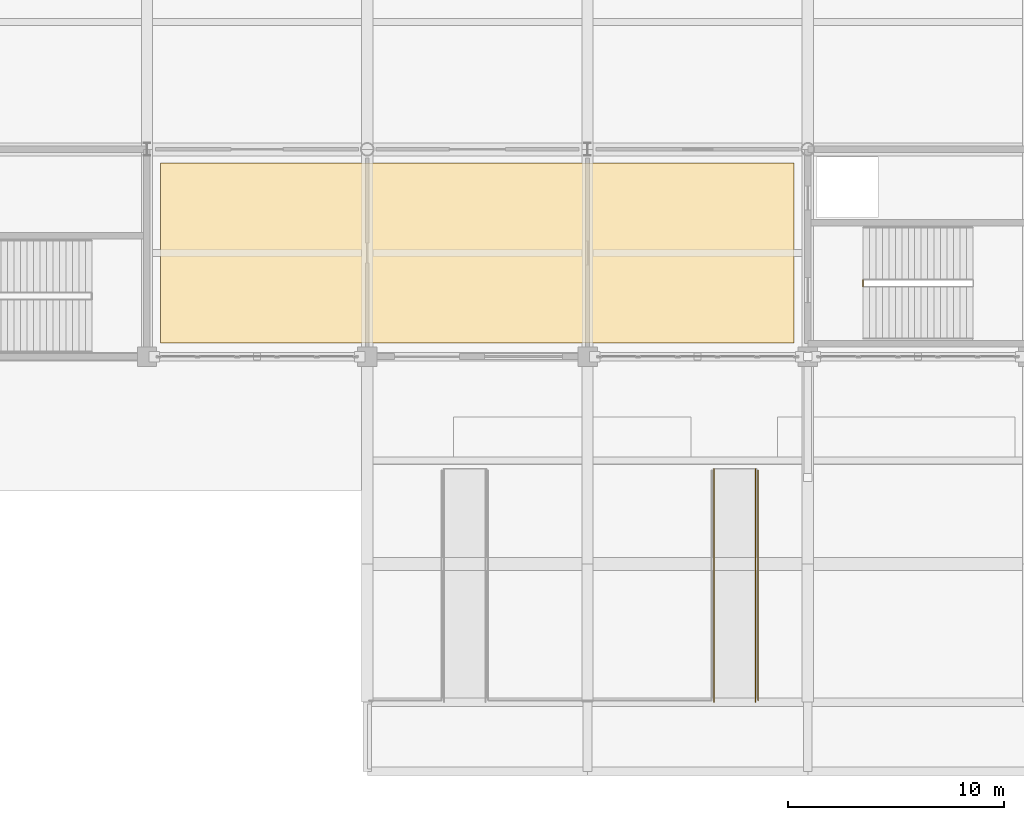
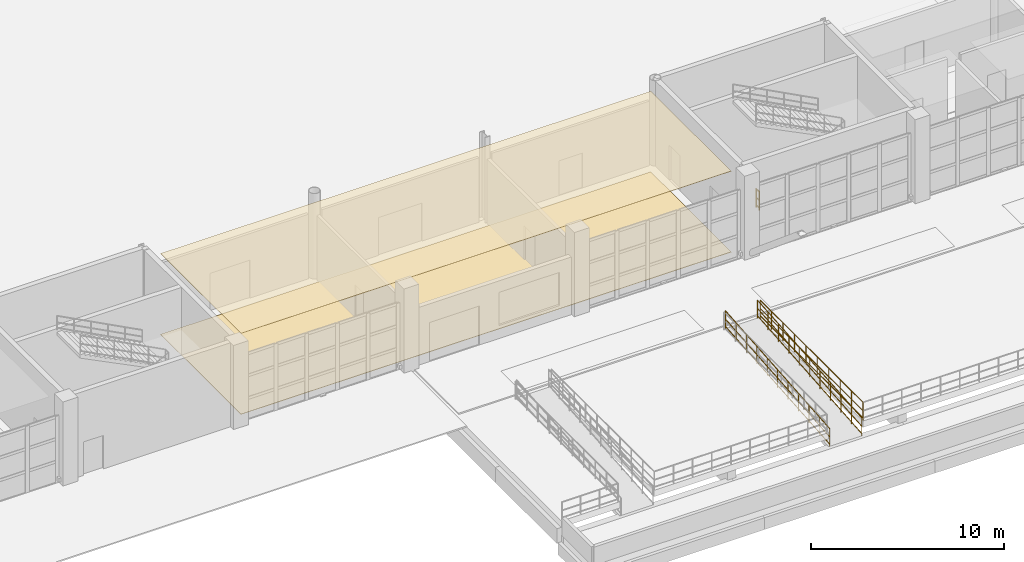
# One storey, part 110 of 124: 4 railings, 2 coverings.
"""IFC4 building model written with IfcOpenShell, lengths in metres."""

from ifc_helpers import new_model, si_unit, direction, frame, origin, origin_2d, place, context, subcontext, project, spatial, polyline, circle, outline, extrude, material, layer, layer_set, type_object, element, save


model = new_model("IFC4")

# Units and contexts
model_context = context("Model", 3, precision=1e-05, world=origin(), true_north=direction((0.0, 1.0)))
body_context = subcontext(model_context, "Body", "Model", "MODEL_VIEW")
ifc_project = project(units=[si_unit("LENGTHUNIT", "METRE"), si_unit("AREAUNIT", "SQUARE_METRE"), si_unit("VOLUMEUNIT", "CUBIC_METRE"), si_unit("PLANEANGLEUNIT", "RADIAN"), si_unit("MASSUNIT", "GRAM", prefix="KILO")], contexts=[model_context])

# Site, building, storey
site_placement = place(None, origin())
site = spatial("IfcSite", under=ifc_project, at=site_placement, CompositionType="ELEMENT")
building_placement = place(site_placement, origin())
building = spatial("IfcBuilding", under=site, at=building_placement, Name="Brelvane Convention Centre", CompositionType="ELEMENT")
storey_placement = place(building_placement, origin())
storey = spatial("IfcBuildingStorey", under=building, at=storey_placement, Name="L00", CompositionType="ELEMENT", Elevation=0.0)

# Coverings
ifc_material_1 = material(Name="Moisture-Resistant Acoustic Gypsum Ceiling Tile Grade A")
ifc_layer_1 = layer(ifc_material_1, 0.02490234375)
ifc_layer_set_1 = layer_set([ifc_layer_1], Name="Moisture-Resistant Acoustic Gypsum Ceiling Tile Grade A")
covering_type_1 = type_object("IfcCoveringType", Name="Interior Finish CL-GYP-25", PredefinedType="CEILING", material=ifc_layer_set_1)
covering_1_placement = place(storey_placement, frame((0.0, 0.0, 5.114990234375)))
element("IfcCovering", 1, at=covering_1_placement, inside=storey, type_object=covering_type_1, Name="Pre-function Foyer East Acoustic Ceiling (CL-GYP-25)", PredefinedType="CEILING", context=body_context, shape_type="SweptSolid", body=[
    extrude(outline(polyline([(92.429931640625, 19.830078125), (121.77001953125, 19.830078125), (121.77001953125, 28.169921875), (92.429931640625, 28.169921875), (92.429931640625, 19.830078125)])), origin(), (0.0, 0.0, 1.0), 0.02490234375),
])
ifc_material_2 = material(Name="Solution-Dyed Heavy Contract Wool Carpet Class 1")
ifc_layer_2 = layer(ifc_material_2, 0.028076171875)
ifc_layer_set_2 = layer_set([ifc_layer_2], Name="Solution-Dyed Heavy Contract Wool Carpet Class 1")
covering_type_2 = type_object("IfcCoveringType", Name="Interior Finish FL-CPT-28", PredefinedType="FLOORING", material=ifc_layer_set_2)
covering_2_placement = place(storey_placement, origin())
element("IfcCovering", 2, at=covering_2_placement, inside=storey, type_object=covering_type_2, Name="Pre-function Foyer East Floor Finish (FL-CPT-28)", PredefinedType="FLOORING", context=body_context, shape_type="SweptSolid", body=[
    extrude(outline(polyline([(92.429931640625, 19.830078125), (121.77001953125, 19.830078125), (121.77001953125, 28.169921875), (92.429931640625, 28.169921875), (92.429931640625, 19.830078125)])), origin(), (0.0, 0.0, 1.0), 0.028076171875),
])

# Railings
ifc_material_3 = material(Name="Steel E350 (350 MPa)", Category="steel")
railing_type_1 = type_object("IfcRailingType", Name="Railing GR-EXT-1", PredefinedType="GUARDRAIL", material=ifc_material_3)
railing_1_placement = place(storey_placement, frame((120.10009765625, 13.93994140625, 0.0)))
element("IfcRailing", 3, at=railing_1_placement, inside=storey, type_object=railing_type_1, Name="Railing GR-EXT-1 L00-plaza_ramp_e_2", PredefinedType="GUARDRAIL", context=body_context, shape_type="SweptSolid", body=[
    extrude(circle(Radius=0.02392578125, at=origin_2d()), frame((0.0, 0.0, 1.1259765625), z_axis=(0.0, -1.0, 0.0), x_axis=(1.0, 0.0, 0.0)), (0.0, 0.0, 1.0), 10.659912109375),
    extrude(circle(Radius=0.02392578125, at=origin_2d()), frame((0.0, 0.0, 0.597900390625), z_axis=(0.0, -1.0, 0.0), x_axis=(1.0, 0.0, 0.0)), (0.0, 0.0, 1.0), 10.659912109375),
    extrude(circle(Radius=0.02392578125, at=origin_2d()), frame((0.0, 0.0, 0.139892578125), z_axis=(0.0, -1.0, 0.0), x_axis=(1.0, 0.0, 0.0)), (0.0, 0.0, 1.0), 10.659912109375),
    extrude(circle(Radius=0.02099609375, at=origin_2d()), origin(), (0.0, 0.0, 1.0), 1.101806640625),
    extrude(circle(Radius=0.02099609375, at=origin_2d()), frame((0.0, -1.184326171875, 0.0)), (0.0, 0.0, 1.0), 1.101806640625),
    extrude(circle(Radius=0.02099609375, at=origin_2d()), frame((0.0, -2.368896484375, 0.0)), (0.0, 0.0, 1.0), 1.101806640625),
    extrude(circle(Radius=0.02099609375, at=origin_2d()), frame((0.0, -3.55322265625, 0.0)), (0.0, 0.0, 1.0), 1.101806640625),
    extrude(circle(Radius=0.02099609375, at=origin_2d()), frame((0.0, -4.73779296875, 0.0)), (0.0, 0.0, 1.0), 1.101806640625),
    extrude(circle(Radius=0.02099609375, at=origin_2d()), frame((0.0, -5.922119140625, 0.0)), (0.0, 0.0, 1.0), 1.101806640625),
    extrude(circle(Radius=0.02099609375, at=origin_2d()), frame((0.0, -7.106689453125, 0.0)), (0.0, 0.0, 1.0), 1.101806640625),
    extrude(circle(Radius=0.02099609375, at=origin_2d()), frame((0.0, -8.291015625, 0.0)), (0.0, 0.0, 1.0), 1.101806640625),
    extrude(circle(Radius=0.02099609375, at=origin_2d()), frame((0.0, -9.4755859375, 0.0)), (0.0, 0.0, 1.0), 1.101806640625),
    extrude(circle(Radius=0.02099609375, at=origin_2d()), frame((0.0, -10.659912109375, 0.0)), (0.0, 0.0, 1.0), 1.101806640625),
])
railing_2_placement = place(storey_placement, frame((118.06005859375, 3.199951171875, -0.89990234375)))
element("IfcRailing", 4, at=railing_2_placement, inside=storey, type_object=railing_type_1, Name="Ramp AR-02 Sloped Guard (W)", PredefinedType="GUARDRAIL", context=body_context, shape_type="SweptSolid", body=[
    extrude(circle(Radius=0.02392578125, at=origin_2d()), frame((0.0, 0.0, 1.1259765625), z_axis=(0.0, 0.99654653501, 0.083036158149), x_axis=(-1.0, 0.0, 0.0)), (0.0, 0.0, 1.0), 10.83740234375),
    extrude(circle(Radius=0.02392578125, at=origin_2d()), frame((0.0, 0.0, 0.597900390625), z_axis=(0.0, 0.99654653501, 0.083036158149), x_axis=(-1.0, 0.0, 0.0)), (0.0, 0.0, 1.0), 10.83740234375),
    extrude(circle(Radius=0.02392578125, at=origin_2d()), frame((0.0, 0.0, 0.139892578125), z_axis=(0.0, 0.99654653501, 0.083036158149), x_axis=(-1.0, 0.0, 0.0)), (0.0, 0.0, 1.0), 10.83740234375),
    extrude(circle(Radius=0.02099609375, at=origin_2d()), origin(), (0.0, 0.0, 1.0), 1.101806640625),
    extrude(circle(Radius=0.02099609375, at=origin_2d()), frame((0.0, 1.080078125, 0.090087890625)), (0.0, 0.0, 1.0), 1.101806640625),
    extrude(circle(Radius=0.02099609375, at=origin_2d()), frame((0.0, 2.159912109375, 0.179931640625)), (0.0, 0.0, 1.0), 1.101806640625),
    extrude(circle(Radius=0.02099609375, at=origin_2d()), frame((0.0, 3.239990234375, 0.27001953125)), (0.0, 0.0, 1.0), 1.101806640625),
    extrude(circle(Radius=0.02099609375, at=origin_2d()), frame((0.0, 4.320068359375, 0.35986328125)), (0.0, 0.0, 1.0), 1.101806640625),
    extrude(circle(Radius=0.02099609375, at=origin_2d()), frame((0.0, 5.39990234375, 0.449951171875)), (0.0, 0.0, 1.0), 1.101806640625),
    extrude(circle(Radius=0.02099609375, at=origin_2d()), frame((0.0, 6.47998046875, 0.5400390625)), (0.0, 0.0, 1.0), 1.101806640625),
    extrude(circle(Radius=0.02099609375, at=origin_2d()), frame((0.0, 7.56005859375, 0.6298828125)), (0.0, 0.0, 1.0), 1.101806640625),
    extrude(circle(Radius=0.02099609375, at=origin_2d()), frame((0.0, 8.64013671875, 0.719970703125)), (0.0, 0.0, 1.0), 1.101806640625),
    extrude(circle(Radius=0.02099609375, at=origin_2d()), frame((0.0, 9.719970703125, 0.809814453125)), (0.0, 0.0, 1.0), 1.101806640625),
    extrude(circle(Radius=0.02099609375, at=origin_2d()), frame((0.0, 10.800048828125, 0.89990234375)), (0.0, 0.0, 1.0), 1.101806640625),
])
railing_3_placement = place(storey_placement, frame((119.97998046875, 3.199951171875, -0.89990234375)))
element("IfcRailing", 5, at=railing_3_placement, inside=storey, type_object=railing_type_1, Name="Ramp AR-02 Sloped Guard (E)", PredefinedType="GUARDRAIL", context=body_context, shape_type="SweptSolid", body=[
    extrude(circle(Radius=0.02392578125, at=origin_2d()), frame((0.0, 0.0, 1.1259765625), z_axis=(0.0, 0.99654653501, 0.083036158149), x_axis=(-1.0, 0.0, 0.0)), (0.0, 0.0, 1.0), 10.83740234375),
    extrude(circle(Radius=0.02392578125, at=origin_2d()), frame((0.0, 0.0, 0.597900390625), z_axis=(0.0, 0.99654653501, 0.083036158149), x_axis=(-1.0, 0.0, 0.0)), (0.0, 0.0, 1.0), 10.83740234375),
    extrude(circle(Radius=0.02392578125, at=origin_2d()), frame((0.0, 0.0, 0.139892578125), z_axis=(0.0, 0.99654653501, 0.083036158149), x_axis=(-1.0, 0.0, 0.0)), (0.0, 0.0, 1.0), 10.83740234375),
    extrude(circle(Radius=0.02099609375, at=origin_2d()), origin(), (0.0, 0.0, 1.0), 1.101806640625),
    extrude(circle(Radius=0.02099609375, at=origin_2d()), frame((0.0, 1.080078125, 0.090087890625)), (0.0, 0.0, 1.0), 1.101806640625),
    extrude(circle(Radius=0.02099609375, at=origin_2d()), frame((0.0, 2.159912109375, 0.179931640625)), (0.0, 0.0, 1.0), 1.101806640625),
    extrude(circle(Radius=0.02099609375, at=origin_2d()), frame((0.0, 3.239990234375, 0.27001953125)), (0.0, 0.0, 1.0), 1.101806640625),
    extrude(circle(Radius=0.02099609375, at=origin_2d()), frame((0.0, 4.320068359375, 0.35986328125)), (0.0, 0.0, 1.0), 1.101806640625),
    extrude(circle(Radius=0.02099609375, at=origin_2d()), frame((0.0, 5.39990234375, 0.449951171875)), (0.0, 0.0, 1.0), 1.101806640625),
    extrude(circle(Radius=0.02099609375, at=origin_2d()), frame((0.0, 6.47998046875, 0.5400390625)), (0.0, 0.0, 1.0), 1.101806640625),
    extrude(circle(Radius=0.02099609375, at=origin_2d()), frame((0.0, 7.56005859375, 0.6298828125)), (0.0, 0.0, 1.0), 1.101806640625),
    extrude(circle(Radius=0.02099609375, at=origin_2d()), frame((0.0, 8.64013671875, 0.719970703125)), (0.0, 0.0, 1.0), 1.101806640625),
    extrude(circle(Radius=0.02099609375, at=origin_2d()), frame((0.0, 9.719970703125, 0.809814453125)), (0.0, 0.0, 1.0), 1.101806640625),
    extrude(circle(Radius=0.02099609375, at=origin_2d()), frame((0.0, 10.800048828125, 0.89990234375)), (0.0, 0.0, 1.0), 1.101806640625),
])
ifc_material_4 = material(Name="Steel E350 (350 MPa)", Category="steel")
railing_type_2 = type_object("IfcRailingType", Name="Stair Railing GR-ST-2", PredefinedType="GUARDRAIL", material=ifc_material_4)
railing_4_placement = place(storey_placement, frame((124.949951171875, 22.43994140625, -0.02001953125)))
element("IfcRailing", 6, at=railing_4_placement, inside=storey, type_object=railing_type_2, Name="Stair ST-02 L00 Landing Well Guard", PredefinedType="GUARDRAIL", context=body_context, shape_type="SweptSolid", body=[
    extrude(circle(Radius=0.02392578125, at=origin_2d()), frame((0.0, 0.0, 1.15576171875), z_axis=(0.0, 1.0, 0.0), x_axis=(-1.0, 0.0, 0.0)), (0.0, 0.0, 1.0), 0.320068359375),
    extrude(circle(Radius=0.02392578125, at=origin_2d()), frame((0.0, 0.0, 0.613525390625), z_axis=(0.0, 1.0, 0.0), x_axis=(-1.0, 0.0, 0.0)), (0.0, 0.0, 1.0), 0.320068359375),
    extrude(circle(Radius=0.02392578125, at=origin_2d()), frame((0.0, 0.0, 0.139892578125), z_axis=(0.0, 1.0, 0.0), x_axis=(-1.0, 0.0, 0.0)), (0.0, 0.0, 1.0), 0.320068359375),
    extrude(circle(Radius=0.02099609375, at=origin_2d()), origin(), (0.0, 0.0, 1.0), 1.1318359375),
    extrude(circle(Radius=0.02099609375, at=origin_2d()), frame((0.0, 0.320068359375, 0.0)), (0.0, 0.0, 1.0), 1.1318359375),
])

save(model, "model.ifc")
